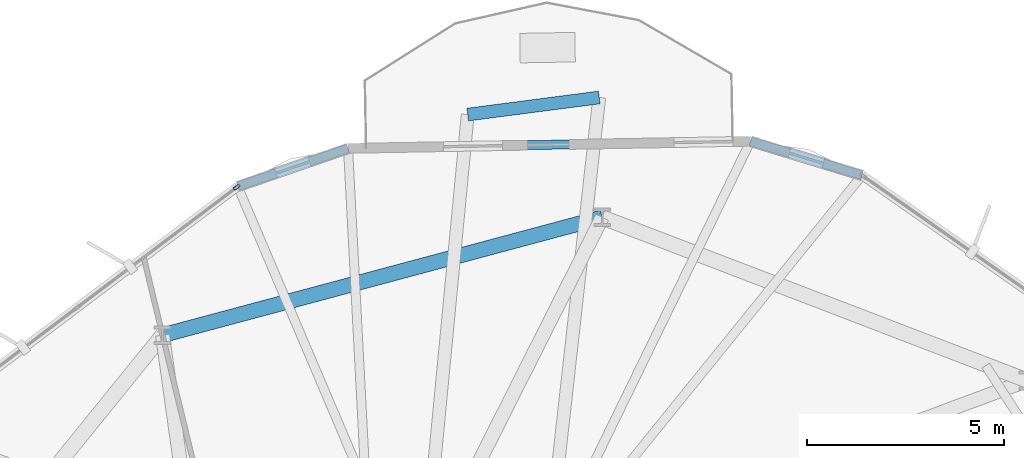
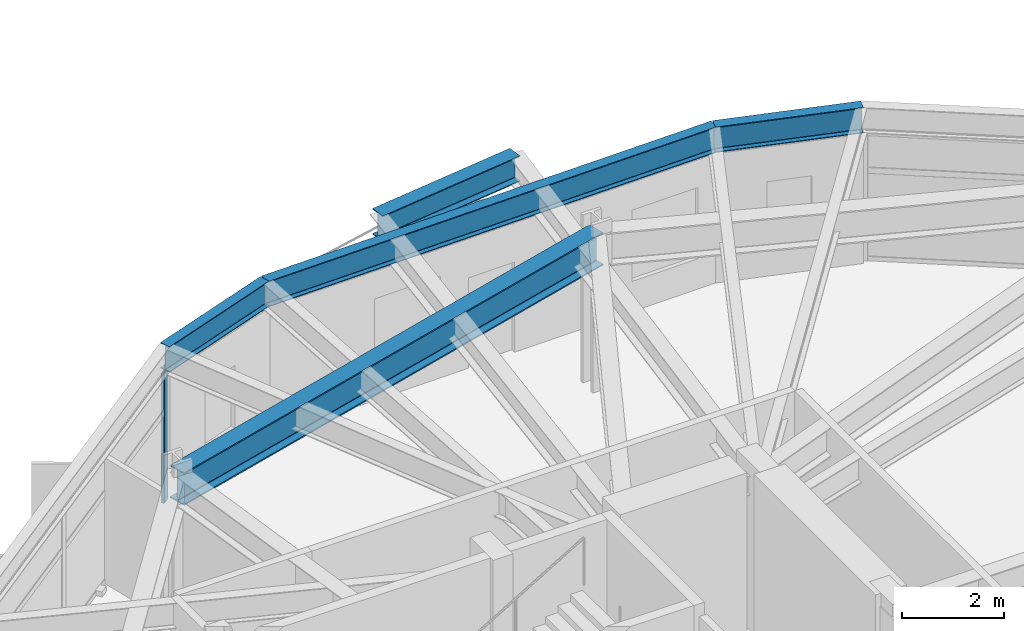
# One storey, part 13 of 23: 5 beams, 1 member, 1 element without a shape of its own.
"""IFC4 building model written with IfcOpenShell, lengths in metres."""

from ifc_helpers import new_model, si_unit, direction, frame, origin, origin_2d, place, context, subcontext, project, spatial, hollow_rectangle, i_section, extrude, material, layer, layer_set, material_profile, profile_set, type_object, element, aggregate, save


model = new_model("IFC4")

# Units and contexts
model_context = context("Model", 3, precision=1e-05, world=origin(), true_north=direction((0.0, 1.0)))
body_context = subcontext(model_context, "Body", "Model", "MODEL_VIEW")
ifc_project = project(units=[si_unit("LENGTHUNIT", "METRE"), si_unit("AREAUNIT", "SQUARE_METRE"), si_unit("VOLUMEUNIT", "CUBIC_METRE"), si_unit("PLANEANGLEUNIT", "RADIAN"), si_unit("MASSUNIT", "GRAM", prefix="KILO")], contexts=[model_context])

# Site, building, storey
site_placement = place(None, origin())
site = spatial("IfcSite", under=ifc_project, at=site_placement, CompositionType="ELEMENT")
building_placement = place(site_placement, origin())
building = spatial("IfcBuilding", under=site, at=building_placement, Name="Soratama Intermodal Tower", CompositionType="ELEMENT")
storey_placement = place(building_placement, frame((0.0, 0.0, 30.60009765625)))
storey = spatial("IfcBuildingStorey", under=building, at=storey_placement, Name="L06", CompositionType="ELEMENT", Elevation=30.60009765625)

# Beams
ifc_material_1 = material(Name="Structural steel ASTM A992 Grade 50", Category="steel")
ifc_material_profile_1 = material_profile(ifc_material_1, i_section(OverallWidth=0.324951171875, OverallDepth=0.615966796875, WebThickness=0.013916015625, FlangeThickness=0.021484375, FilletRadius=0.013916015625, at=origin_2d()), Name="W24X117")
ifc_profile_set_1 = profile_set([ifc_material_profile_1], Name="Structural steel ASTM A992 Grade 50")
beam_type_1 = type_object("IfcBeamType", Name="BM-CANT-W24X117", PredefinedType="BEAM", material=ifc_profile_set_1)
beam_1_placement = place(storey_placement, frame((45.905029296875, 46.742919921875, 3.391845703125), z_axis=(-0.991647190319, -0.12898003695, 0.0), x_axis=(0.12898003695, -0.991647190319, 0.0)))
element("IfcBeam", 1, at=beam_1_placement, inside=storey, type_object=beam_type_1, Name="BM-L06-CBHDR-2", PredefinedType="BEAM", context=body_context, shape_type="SweptSolid", body=[
    extrude(i_section(OverallWidth=0.324951171875, OverallDepth=0.615966796875, WebThickness=0.013916015625, FlangeThickness=0.021484375, FilletRadius=0.013916015625, at=origin_2d()), origin(), (0.0, 0.0, 1.0), 3.37109375),
])
ifc_material_2 = material(Name="Structural steel ASTM A992 Grade 50", Category="steel")
ifc_material_profile_2 = material_profile(ifc_material_2, i_section(OverallWidth=0.382080078125, OverallDepth=0.779052734375, WebThickness=0.01806640625, FlangeThickness=0.030029296875, FilletRadius=0.01806640625, at=origin_2d()), Name="W30X191")
ifc_profile_set_2 = profile_set([ifc_material_profile_2], Name="Structural steel ASTM A992 Grade 50")
beam_type_2 = type_object("IfcBeamType", Name="BM-RING-W30X191", PredefinedType="BEAM", material=ifc_profile_set_2)
beam_2_placement = place(storey_placement, frame((45.97998046875, 43.694091796875, 3.310302734375), z_axis=(-0.965935902196, -0.258781438376, 0.0), x_axis=(0.258781438376, -0.965935902196, 0.0)))
element("IfcBeam", 2, at=beam_2_placement, inside=storey, type_object=beam_type_2, Name="BM-L06-RING-03", PredefinedType="BEAM", context=body_context, shape_type="SweptSolid", body=[
    extrude(i_section(OverallWidth=0.382080078125, OverallDepth=0.779052734375, WebThickness=0.01806640625, FlangeThickness=0.030029296875, FilletRadius=0.01806640625, at=origin_2d()), origin(), (0.0, 0.0, 1.0), 11.570068359375),
])
ifc_material_3 = material(Name="Structural steel ASTM A992 Grade 50", Category="steel")
ifc_material_profile_3 = material_profile(ifc_material_3, i_section(OverallWidth=0.22900390625, OverallDepth=0.612060546875, WebThickness=0.011962890625, FlangeThickness=0.01953125, FilletRadius=0.012939453125, at=origin_2d()), Name="W24X84")
ifc_profile_set_3 = profile_set([ifc_material_profile_3], Name="Structural steel ASTM A992 Grade 50")
beam_type_3 = type_object("IfcBeamType", Name="BM-SPN-W24X84", PredefinedType="SPANDREL", material=ifc_profile_set_3)
beam_3_placement = place(storey_placement, frame((52.5859375, 44.763916015625, 3.393798828125), z_axis=(-0.956318343119, 0.292327259446, 0.0), x_axis=(-0.292327259446, -0.956318343119, 0.0)))
element("IfcBeam", 3, at=beam_3_placement, inside=storey, type_object=beam_type_3, Name="BS-L06-CRN02", PredefinedType="SPANDREL", context=body_context, shape_type="SweptSolid", body=[
    extrude(i_section(OverallWidth=0.22900390625, OverallDepth=0.612060546875, WebThickness=0.011962890625, FlangeThickness=0.01953125, FilletRadius=0.012939453125, at=origin_2d()), origin(), (0.0, 0.0, 1.0), 2.966552734375),
])
beam_4_placement = place(storey_placement, frame((49.7490234375, 45.631103515625, 3.393798828125), z_axis=(-0.99984152607, -0.017802324179, 0.0), x_axis=(0.017802324179, -0.99984152607, 0.0)))
element("IfcBeam", 4, at=beam_4_placement, inside=storey, type_object=beam_type_3, Name="BS-L06-F03", PredefinedType="SPANDREL", context=body_context, shape_type="SweptSolid", body=[
    extrude(i_section(OverallWidth=0.22900390625, OverallDepth=0.612060546875, WebThickness=0.011962890625, FlangeThickness=0.01953125, FilletRadius=0.012939453125, at=origin_2d()), origin(), (0.0, 0.0, 1.0), 10.230712890625),
])
beam_5_placement = place(storey_placement, frame((39.52001953125, 45.448974609375, 3.393798828125), z_axis=(-0.945391343779, -0.32593742821, 0.0), x_axis=(0.32593742821, -0.945391343779, 0.0)))
element("IfcBeam", 5, at=beam_5_placement, inside=storey, type_object=beam_type_3, Name="BS-L06-CRN03", PredefinedType="SPANDREL", context=body_context, shape_type="SweptSolid", body=[
    extrude(i_section(OverallWidth=0.22900390625, OverallDepth=0.612060546875, WebThickness=0.011962890625, FlangeThickness=0.01953125, FilletRadius=0.012939453125, at=origin_2d()), origin(), (0.0, 0.0, 1.0), 2.967041015625),
])

# Curtain wall, member
ifc_material_4 = material(Name="Double-glazed aluminium curtain wall", Category="aluminium")
ifc_layer = layer(ifc_material_4, 0.159912109375)
ifc_layer_set = layer_set([ifc_layer], Name="Double-glazed aluminium curtain wall")
curtain_wall_type = type_object("IfcCurtainWallType", Name="CW-SYS-2", PredefinedType="NOTDEFINED", material=ifc_layer_set)
curtain_wall_placement = place(storey_placement, origin())
curtain_wall = element("IfcCurtainWall", 6, at=curtain_wall_placement, inside=storey, type_object=curtain_wall_type, Name="L06 Faceted Curtain Wall F04", PredefinedType="NOTDEFINED")
ifc_material_5 = material(Name="Anodised aluminium AA 6063-T6", Category="aluminium")
ifc_material_profile_4 = material_profile(ifc_material_5, hollow_rectangle(XDim=0.074951171875, YDim=0.179931640625, WallThickness=0.006103515625, InnerFilletRadius=0.006103515625, OuterFilletRadius=0.011962890625, at=origin_2d()), Name="CWM180X75X6")
ifc_profile_set_4 = profile_set([ifc_material_profile_4], Name="Anodised aluminium AA 6063-T6")
member_type = type_object("IfcMemberType", Name="MT-CWM-2", PredefinedType="MULLION", material=ifc_profile_set_4)
member_placement = place(storey_placement, frame((36.69140625, 44.463623046875, 0.0), z_axis=(0.0, 0.0, 1.0), x_axis=(0.602090543366, -0.798427816142, 0.0)))
member = element("IfcMember", 7, at=member_placement, type_object=member_type, Name="CW-2 mullion 1", PredefinedType="MULLION", context=body_context, shape_type="SweptSolid", body=[
    extrude(hollow_rectangle(XDim=0.074951171875, YDim=0.179931640625, WallThickness=0.006103515625, InnerFilletRadius=0.006103515625, OuterFilletRadius=0.011962890625, at=origin_2d()), origin(), (0.0, 0.0, 1.0), 3.078857421875),
])
aggregate(curtain_wall, [member])

save(model, "model.ifc")
